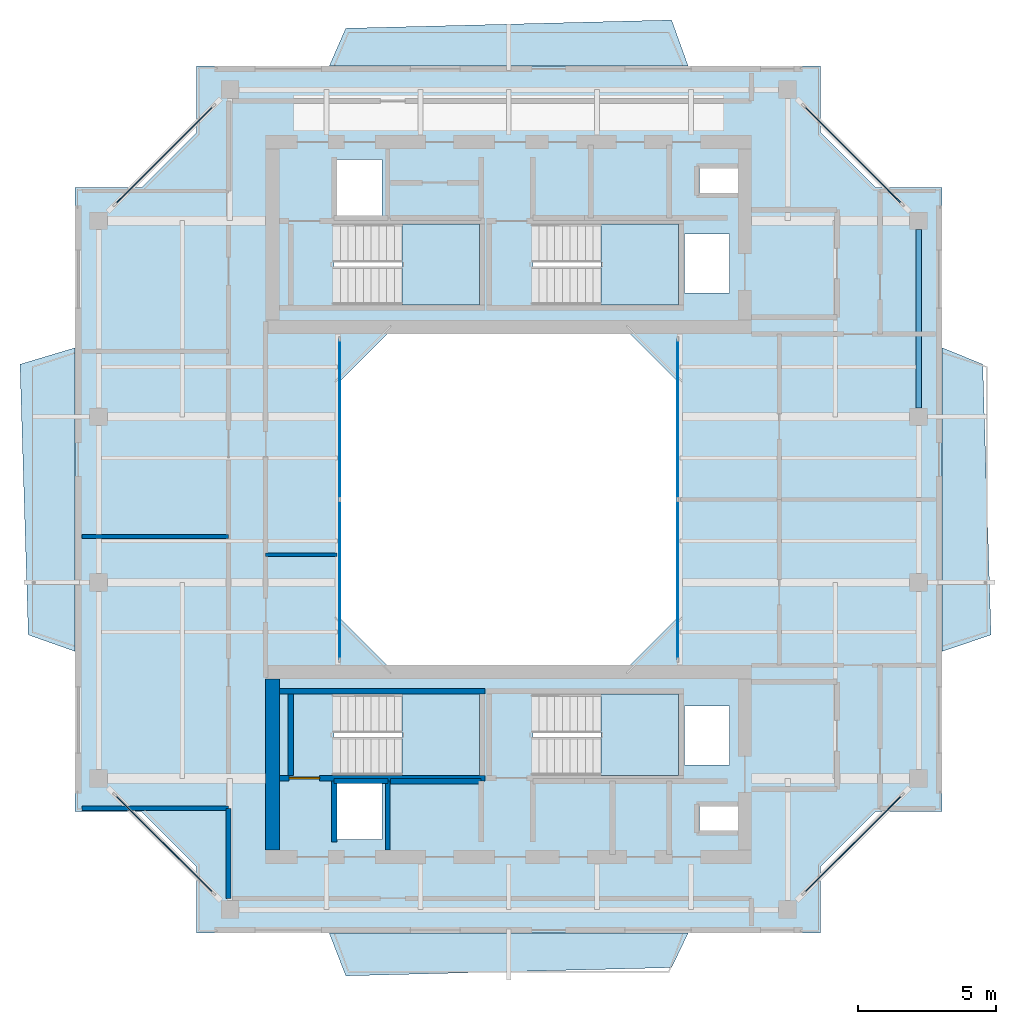
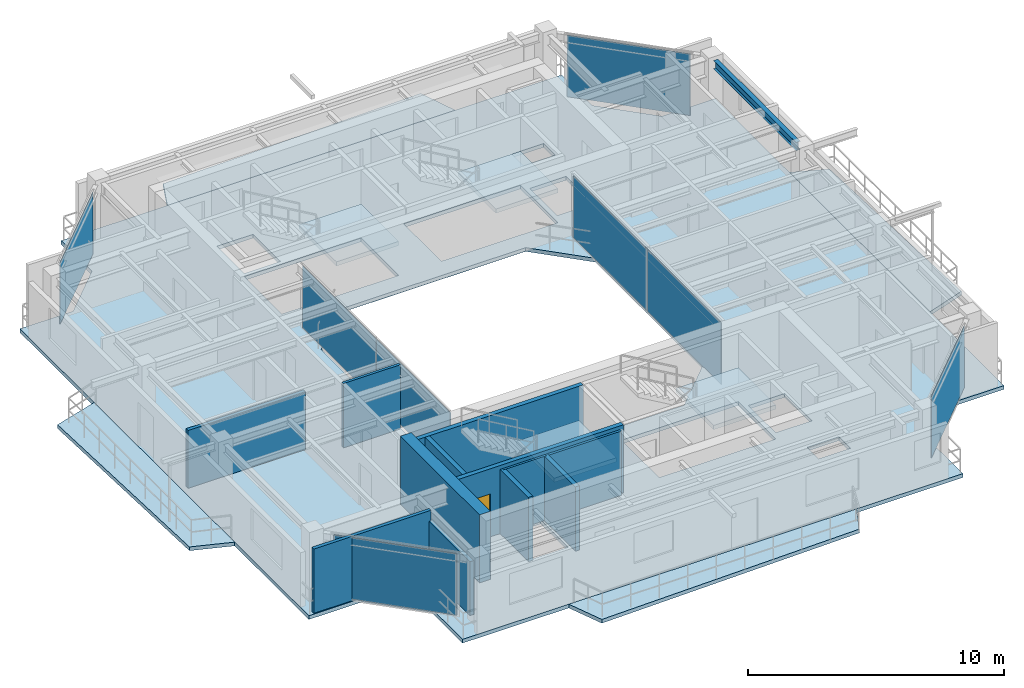
# One storey, part 8 of 14: 12 walls, 9 slabs, 8 plates, 1 beam, 1 door, 1 opening, 10 elements without a shape of their own.
"""IFC4 building model written with IfcOpenShell, lengths in metres."""

from ifc_helpers import new_model, si_unit, direction, frame, frame_2d, origin, origin_2d, place, context, subcontext, project, spatial, polyline, rectangle, i_section, outline, extrude, source, transform, mapped, material, layer, layer_set, material_profile, profile_set, type_object, element, fill, aggregate, save


model = new_model("IFC4")

# Units and contexts
model_context = context("Model", 3, precision=1e-05, world=origin(), true_north=direction((0.0, 1.0)))
body_context = subcontext(model_context, "Body", "Model", "MODEL_VIEW")
ifc_project = project(units=[si_unit("LENGTHUNIT", "METRE"), si_unit("AREAUNIT", "SQUARE_METRE"), si_unit("VOLUMEUNIT", "CUBIC_METRE"), si_unit("PLANEANGLEUNIT", "RADIAN"), si_unit("MASSUNIT", "GRAM", prefix="KILO"), si_unit("THERMODYNAMICTEMPERATUREUNIT", "KELVIN"), si_unit("POWERUNIT", "WATT")], contexts=[model_context])

# Site, building, storey
site_placement = place(None, origin())
site = spatial("IfcSite", under=ifc_project, at=site_placement, CompositionType="ELEMENT")
building_placement = place(site_placement, origin())
building = spatial("IfcBuilding", under=site, at=building_placement, Name="Qiaomeng Ring Towers", CompositionType="ELEMENT")
storey_placement = place(building_placement, frame((0.0, 0.0, 240.5)))
storey = spatial("IfcBuildingStorey", under=building, at=storey_placement, Name="L70", CompositionType="ELEMENT", Elevation=240.5)

# Beam
ifc_material_1 = material(Name="Steel Q355B", Category="steel")
ifc_material_profile = material_profile(ifc_material_1, i_section(OverallWidth=0.198974609375, OverallDepth=0.39599609375, WebThickness=0.007080078125, FlangeThickness=0.010986328125, FilletRadius=0.01611328125, at=origin_2d()), Name="HN 396x199x7x11")
ifc_profile_set = profile_set([ifc_material_profile], Name="Steel Q355B")
beam_type = type_object("IfcBeamType", Name="STR-BM-HN396", PredefinedType="SPANDREL", material=ifc_profile_set)
shared_shape_1 = source(origin(), body_context, "Body", "SweptSolid", [
    extrude(i_section(OverallWidth=0.198974609375, OverallDepth=0.39599609375, WebThickness=0.007080078125, FlangeThickness=0.010986328125, FilletRadius=0.01611328125, at=origin_2d()), origin(), (0.0, 0.0, 1.0), 6.451904296875),
])
beam_placement = place(storey_placement, frame((33.85009765625, 26.323974609375, 2.8720703125), z_axis=(0.0, 1.0, 0.0), x_axis=(-1.0, 0.0, 0.0)))
element("IfcBeam", 1, at=beam_placement, inside=storey, type_object=beam_type, Name="L70 beam STR-SP-L70-T1-E3-E4", PredefinedType="SPANDREL", context=body_context, shape_type="MappedRepresentation", body=[
    mapped(shared_shape_1, transform((0.0, 0.0, 0.0), x_axis=(1.0, 0.0, 0.0), y_axis=(0.0, 1.0, 0.0), z_axis=(0.0, 0.0, 1.0), scale=1.0)),
])

# Slabs
ifc_material_2 = material(Name="Concrete C40", Category="concrete")
ifc_layer_1 = layer(ifc_material_2, 0.179931640625, Name="Concrete C40")
ifc_layer_set_1 = layer_set([ifc_layer_1], Name="Concrete C40")
slab_type_1 = type_object("IfcSlabType", Name="STR-SL-180", PredefinedType="FLOOR", material=ifc_layer_set_1)
slab_1_placement = place(storey_placement, frame((0.0, 0.0, -0.179931640625)))
element("IfcSlab", 2, at=slab_1_placement, inside=storey, type_object=slab_type_1, Name="L70 Tower 1 Annular Floor Slab", PredefinedType="FLOOR", context=body_context, shape_type="SweptSolid", body=[
    extrude(outline(polyline([(7.699951171875, 7.300048828125), (30.300048828125, 7.300048828125), (30.300048828125, 9.699951171875), (32.300048828125, 11.699951171875), (34.699951171875, 11.699951171875), (34.699951171875, 34.300048828125), (32.300048828125, 34.300048828125), (30.300048828125, 36.300048828125), (30.300048828125, 38.699951171875), (7.699951171875, 38.699951171875), (7.699951171875, 36.300048828125), (5.699951171875, 34.300048828125), (3.300048828125, 34.300048828125), (3.300048828125, 11.699951171875), (5.699951171875, 11.699951171875), (7.699951171875, 9.699951171875), (7.699951171875, 7.300048828125)]), holes=[polyline([(12.780029296875, 10.679931640625), (12.780029296875, 12.820068359375), (14.419921875, 12.820068359375), (14.419921875, 10.679931640625), (12.780029296875, 10.679931640625)]), polyline([(12.679931640625, 13.010009765625), (12.679931640625, 15.949951171875), (17.949951171875, 15.949951171875), (17.949951171875, 13.010009765625), (12.679931640625, 13.010009765625)]), polyline([(23.199951171875, 29.199951171875), (25.199951171875, 27.199951171875), (25.199951171875, 18.800048828125), (23.199951171875, 16.800048828125), (14.800048828125, 16.800048828125), (12.800048828125, 18.800048828125), (12.800048828125, 27.199951171875), (14.800048828125, 29.199951171875), (23.199951171875, 29.199951171875)]), polyline([(12.679931640625, 32.989990234375), (17.949951171875, 32.989990234375), (17.949951171875, 30.050048828125), (12.679931640625, 30.050048828125), (12.679931640625, 32.989990234375)]), polyline([(19.8798828125, 32.989990234375), (25.14990234375, 32.989990234375), (25.14990234375, 30.050048828125), (19.8798828125, 30.050048828125), (19.8798828125, 32.989990234375)]), polyline([(12.780029296875, 33.179931640625), (12.780029296875, 35.320068359375), (14.419921875, 35.320068359375), (14.419921875, 33.179931640625), (12.780029296875, 33.179931640625)]), polyline([(25.919921875, 11.89990234375), (27.360107421875, 11.89990234375), (27.360107421875, 11.0), (25.919921875, 11.0), (25.919921875, 11.89990234375)]), polyline([(25.360107421875, 15.52001953125), (27.0, 15.52001953125), (27.0, 13.3798828125), (25.360107421875, 13.3798828125), (25.360107421875, 15.52001953125)]), polyline([(19.8798828125, 13.010009765625), (19.8798828125, 15.949951171875), (25.14990234375, 15.949951171875), (25.14990234375, 13.010009765625), (19.8798828125, 13.010009765625)]), polyline([(25.360107421875, 32.6201171875), (27.0, 32.6201171875), (27.0, 30.47998046875), (25.360107421875, 30.47998046875), (25.360107421875, 32.6201171875)]), polyline([(25.919921875, 35.0), (27.360107421875, 35.0), (27.360107421875, 34.10009765625), (25.919921875, 34.10009765625), (25.919921875, 35.0)])]), origin(), (0.0, 0.0, 1.0), 0.179931640625),
])
ifc_layer_2 = layer(ifc_material_2, 0.179931640625, Name="Concrete C40")
ifc_layer_set_2 = layer_set([ifc_layer_2], Name="Concrete C40")
slab_type_2 = type_object("IfcSlabType", Name="STR-SL-BAL", PredefinedType="FLOOR", material=ifc_layer_set_2)
slab_2_placement = place(storey_placement, frame((0.0, 0.0, -0.179931640625)))
element("IfcSlab", 3, at=slab_2_placement, inside=storey, type_object=slab_type_2, Name="L70 Tower 1 S Faceted Balcony Slab", PredefinedType="FLOOR", context=body_context, shape_type="SweptSolid", body=[
    extrude(outline(polyline([(24.89990234375, 6.050048828125), (13.10009765625, 5.75), (12.5, 7.300048828125), (25.5, 7.300048828125), (24.89990234375, 6.050048828125)])), origin(), (0.0, 0.0, 1.0), 0.179931640625),
])
slab_3_placement = place(storey_placement, frame((0.0, 0.0, -0.179931640625)))
element("IfcSlab", 4, at=slab_3_placement, inside=storey, type_object=slab_type_2, Name="L70 Tower 1 E Faceted Balcony Slab", PredefinedType="FLOOR", context=body_context, shape_type="SweptSolid", body=[
    extrude(outline(polyline([(36.169921875, 27.89990234375), (36.469970703125, 18.10009765625), (34.699951171875, 17.5), (34.699951171875, 28.5), (36.169921875, 27.89990234375)])), origin(), (0.0, 0.0, 1.0), 0.179931640625),
])
slab_4_placement = place(storey_placement, frame((0.0, 0.0, -0.179931640625)))
element("IfcSlab", 5, at=slab_4_placement, inside=storey, type_object=slab_type_2, Name="L70 Tower 1 N Faceted Balcony Slab", PredefinedType="FLOOR", context=body_context, shape_type="SweptSolid", body=[
    extrude(outline(polyline([(12.5, 38.699951171875), (13.10009765625, 40.070068359375), (24.89990234375, 40.3701171875), (25.5, 38.699951171875), (12.5, 38.699951171875)])), origin(), (0.0, 0.0, 1.0), 0.179931640625),
])
slab_5_placement = place(storey_placement, frame((0.0, 0.0, -0.179931640625)))
element("IfcSlab", 6, at=slab_5_placement, inside=storey, type_object=slab_type_2, Name="L70 Tower 1 W Faceted Balcony Slab", PredefinedType="FLOOR", context=body_context, shape_type="SweptSolid", body=[
    extrude(outline(polyline([(1.60009765625, 18.10009765625), (1.300048828125, 27.89990234375), (3.300048828125, 28.5), (3.300048828125, 17.5), (1.60009765625, 18.10009765625)])), origin(), (0.0, 0.0, 1.0), 0.179931640625),
])

# Stair, slab
ifc_material_3 = material(Name="Precast concrete C40", Category="concrete")
stair_type = type_object("IfcStairType", Name="ARC-ST-325", PredefinedType="HALF_TURN_STAIR", material=ifc_material_3)
stair_1_placement = place(storey_placement, origin())
stair_1 = element("IfcStair", 7, at=stair_1_placement, inside=storey, type_object=stair_type, Name="L70 Tower 1 North Stair 1", PredefinedType="HALF_TURN_STAIR")
ifc_layer_3 = layer(ifc_material_2, 0.199951171875, Name="Concrete C40")
ifc_layer_set_3 = layer_set([ifc_layer_3], Name="Concrete C40")
slab_type_3 = type_object("IfcSlabType", Name="STR-SL-LANDING", PredefinedType="LANDING", material=ifc_layer_set_3)
slab_6_placement = place(storey_placement, frame((0.0, 0.0, 1.425048828125)))
slab_6 = element("IfcSlab", 8, at=slab_6_placement, type_object=slab_type_3, Name="ST1 landing 1", PredefinedType="LANDING", context=body_context, shape_type="SweptSolid", body=[
    extrude(outline(polyline([(15.139892578125, 30.050048828125), (17.949951171875, 30.050048828125), (17.949951171875, 32.989990234375), (15.139892578125, 32.989990234375), (15.139892578125, 30.050048828125)])), origin(), (0.0, 0.0, 1.0), 0.199951171875),
])
aggregate(stair_1, [slab_6])

stair_2_placement = place(storey_placement, origin())
stair_2 = element("IfcStair", 9, at=stair_2_placement, inside=storey, type_object=stair_type, Name="L70 Tower 1 North Stair 2", PredefinedType="HALF_TURN_STAIR")
slab_7_placement = place(storey_placement, frame((0.0, 0.0, 1.425048828125)))
slab_7 = element("IfcSlab", 10, at=slab_7_placement, type_object=slab_type_3, Name="ST2 landing 1", PredefinedType="LANDING", context=body_context, shape_type="SweptSolid", body=[
    extrude(outline(polyline([(22.340087890625, 30.050048828125), (25.14990234375, 30.050048828125), (25.14990234375, 32.989990234375), (22.340087890625, 32.989990234375), (22.340087890625, 30.050048828125)])), origin(), (0.0, 0.0, 1.0), 0.199951171875),
])
aggregate(stair_2, [slab_7])

stair_3_placement = place(storey_placement, origin())
stair_3 = element("IfcStair", 11, at=stair_3_placement, inside=storey, type_object=stair_type, Name="L70 Tower 1 South Stair 3", PredefinedType="HALF_TURN_STAIR")
slab_8_placement = place(storey_placement, frame((0.0, 0.0, 1.425048828125)))
slab_8 = element("IfcSlab", 12, at=slab_8_placement, type_object=slab_type_3, Name="ST3 landing 1", PredefinedType="LANDING", context=body_context, shape_type="SweptSolid", body=[
    extrude(outline(polyline([(15.139892578125, 13.010009765625), (17.949951171875, 13.010009765625), (17.949951171875, 15.949951171875), (15.139892578125, 15.949951171875), (15.139892578125, 13.010009765625)])), origin(), (0.0, 0.0, 1.0), 0.199951171875),
])
aggregate(stair_3, [slab_8])

stair_4_placement = place(storey_placement, origin())
stair_4 = element("IfcStair", 13, at=stair_4_placement, inside=storey, type_object=stair_type, Name="L70 Tower 1 South Stair 4", PredefinedType="HALF_TURN_STAIR")
slab_9_placement = place(storey_placement, frame((0.0, 0.0, 1.425048828125)))
slab_9 = element("IfcSlab", 14, at=slab_9_placement, type_object=slab_type_3, Name="ST4 landing 1", PredefinedType="LANDING", context=body_context, shape_type="SweptSolid", body=[
    extrude(outline(polyline([(22.340087890625, 13.010009765625), (25.14990234375, 13.010009765625), (25.14990234375, 15.949951171875), (22.340087890625, 15.949951171875), (22.340087890625, 13.010009765625)])), origin(), (0.0, 0.0, 1.0), 0.199951171875),
])
aggregate(stair_4, [slab_9])

# Curtain wall, plates
ifc_material_4 = material(Name="Fluorocarbon dark-grey aluminium", Category="aluminium")
ifc_layer_4 = layer(ifc_material_4, 0.139892578125, Name="Fluorocarbon dark-grey aluminium")
ifc_layer_set_4 = layer_set([ifc_layer_4], Name="Fluorocarbon dark-grey aluminium")
curtain_wall_type_1 = type_object("IfcCurtainWallType", Name="ARC-CW-4", PredefinedType="NOTDEFINED", material=ifc_layer_set_4)
curtain_wall_1_placement = place(storey_placement, origin())
curtain_wall_1 = element("IfcCurtainWall", 15, at=curtain_wall_1_placement, inside=storey, type_object=curtain_wall_type_1, Name="L70 Curtain Wall CW4", PredefinedType="NOTDEFINED")
ifc_material_5 = material(Name="Low-E dark-grey laminated double glazing", Category="glass")
ifc_layer_5 = layer(ifc_material_5, 0.028076171875, Name="Low-E dark-grey laminated double glazing")
ifc_layer_set_5 = layer_set([ifc_layer_5], Name="Low-E dark-grey laminated double glazing")
plate_type = type_object("IfcPlateType", Name="ARC-CWP-DARK", PredefinedType="CURTAIN_PANEL", material=ifc_layer_set_5)
shared_shape_2 = source(origin(), body_context, "Body", "SweptSolid", [
    extrude(rectangle(XDim=5.75244140625, YDim=0.028076171875, at=origin_2d()), origin(), (0.0, 0.0, 1.0), 2.93994140625),
])
plate_1_placement = place(storey_placement, frame((12.8798828125, 20.09130859375, 0.06494140625), z_axis=(0.0, 0.0, 1.0), x_axis=(0.0, 1.0, 0.0)))
plate_1 = element("IfcPlate", 16, at=plate_1_placement, type_object=plate_type, Name="CW4 panel 1.1", PredefinedType="CURTAIN_PANEL", context=body_context, shape_type="MappedRepresentation", body=[
    mapped(shared_shape_2, transform((0.0, 0.0, 0.0), x_axis=(1.0, 0.0, 0.0), y_axis=(0.0, 1.0, 0.0), z_axis=(0.0, 0.0, 1.0), scale=1.0)),
])
plate_2_placement = place(storey_placement, frame((12.8798828125, 25.90869140625, 0.06494140625), z_axis=(0.0, 0.0, 1.0), x_axis=(0.0, 1.0, 0.0)))
plate_2 = element("IfcPlate", 17, at=plate_2_placement, type_object=plate_type, Name="CW4 panel 2.1", PredefinedType="CURTAIN_PANEL", context=body_context, shape_type="MappedRepresentation", body=[
    mapped(shared_shape_2, transform((0.0, 0.0, 0.0), x_axis=(1.0, 0.0, 0.0), y_axis=(0.0, 1.0, 0.0), z_axis=(0.0, 0.0, 1.0), scale=1.0)),
])
aggregate(curtain_wall_1, [plate_1, plate_2])

curtain_wall_2_placement = place(storey_placement, origin())
curtain_wall_2 = element("IfcCurtainWall", 18, at=curtain_wall_2_placement, inside=storey, type_object=curtain_wall_type_1, Name="L70 Curtain Wall CW4", PredefinedType="NOTDEFINED")
plate_3_placement = place(storey_placement, frame((25.1201171875, 20.09130859375, 0.06494140625), z_axis=(0.0, 0.0, 1.0), x_axis=(0.0, 1.0, 0.0)))
plate_3 = element("IfcPlate", 19, at=plate_3_placement, type_object=plate_type, Name="CW4 panel 1.1", PredefinedType="CURTAIN_PANEL", context=body_context, shape_type="MappedRepresentation", body=[
    mapped(shared_shape_2, transform((0.0, 0.0, 0.0), x_axis=(1.0, 0.0, 0.0), y_axis=(0.0, 1.0, 0.0), z_axis=(0.0, 0.0, 1.0), scale=1.0)),
])
plate_4_placement = place(storey_placement, frame((25.1201171875, 25.90869140625, 0.06494140625), z_axis=(0.0, 0.0, 1.0), x_axis=(0.0, 1.0, 0.0)))
plate_4 = element("IfcPlate", 20, at=plate_4_placement, type_object=plate_type, Name="CW4 panel 2.1", PredefinedType="CURTAIN_PANEL", context=body_context, shape_type="MappedRepresentation", body=[
    mapped(shared_shape_2, transform((0.0, 0.0, 0.0), x_axis=(1.0, 0.0, 0.0), y_axis=(0.0, 1.0, 0.0), z_axis=(0.0, 0.0, 1.0), scale=1.0)),
])
aggregate(curtain_wall_2, [plate_3, plate_4])

# Curtain wall, plate
ifc_layer_6 = layer(ifc_material_4, 0.14990234375, Name="Fluorocarbon dark-grey aluminium")
ifc_layer_set_6 = layer_set([ifc_layer_6], Name="Fluorocarbon dark-grey aluminium")
curtain_wall_type_2 = type_object("IfcCurtainWallType", Name="ARC-CW-3", PredefinedType="NOTDEFINED", material=ifc_layer_set_6)
curtain_wall_3_placement = place(storey_placement, origin())
curtain_wall_3 = element("IfcCurtainWall", 21, at=curtain_wall_3_placement, inside=storey, type_object=curtain_wall_type_2, Name="L70 Curtain Wall CW3", PredefinedType="NOTDEFINED")
shared_shape_3 = source(origin(), body_context, "Body", "SweptSolid", [
    extrude(rectangle(XDim=4.9794921875, YDim=0.028076171875, at=origin_2d()), origin(), (0.0, 0.0, 1.0), 2.93994140625),
])
plate_5_placement = place(storey_placement, frame((31.47509765625, 10.52490234375, 0.06494140625), z_axis=(0.0, 0.0, 1.0), x_axis=(0.707106781187, 0.707106781187, 0.0)))
plate_5 = element("IfcPlate", 22, at=plate_5_placement, type_object=plate_type, Name="CW3 panel 1.1", PredefinedType="CURTAIN_PANEL", context=body_context, shape_type="MappedRepresentation", body=[
    mapped(shared_shape_3, transform((0.0, 0.0, 0.0), x_axis=(1.0, 0.0, 0.0), y_axis=(0.0, 1.0, 0.0), z_axis=(0.0, 0.0, 1.0), scale=1.0)),
])
aggregate(curtain_wall_3, [plate_5])

curtain_wall_4_placement = place(storey_placement, origin())
curtain_wall_4 = element("IfcCurtainWall", 23, at=curtain_wall_4_placement, inside=storey, type_object=curtain_wall_type_2, Name="L70 Curtain Wall CW3", PredefinedType="NOTDEFINED")
plate_6_placement = place(storey_placement, frame((31.47509765625, 35.47509765625, 0.06494140625), z_axis=(0.0, 0.0, 1.0), x_axis=(-0.707106781187, 0.707106781187, 0.0)))
plate_6 = element("IfcPlate", 24, at=plate_6_placement, type_object=plate_type, Name="CW3 panel 1.1", PredefinedType="CURTAIN_PANEL", context=body_context, shape_type="MappedRepresentation", body=[
    mapped(shared_shape_3, transform((0.0, 0.0, 0.0), x_axis=(1.0, 0.0, 0.0), y_axis=(0.0, 1.0, 0.0), z_axis=(0.0, 0.0, 1.0), scale=1.0)),
])
aggregate(curtain_wall_4, [plate_6])

curtain_wall_5_placement = place(storey_placement, origin())
curtain_wall_5 = element("IfcCurtainWall", 25, at=curtain_wall_5_placement, inside=storey, type_object=curtain_wall_type_2, Name="L70 Curtain Wall CW3", PredefinedType="NOTDEFINED")
plate_7_placement = place(storey_placement, frame((6.52490234375, 35.47509765625, 0.06494140625), z_axis=(0.0, 0.0, 1.0), x_axis=(-0.707106781187, -0.707106781187, 0.0)))
plate_7 = element("IfcPlate", 26, at=plate_7_placement, type_object=plate_type, Name="CW3 panel 1.1", PredefinedType="CURTAIN_PANEL", context=body_context, shape_type="MappedRepresentation", body=[
    mapped(shared_shape_3, transform((0.0, 0.0, 0.0), x_axis=(1.0, 0.0, 0.0), y_axis=(0.0, 1.0, 0.0), z_axis=(0.0, 0.0, 1.0), scale=1.0)),
])
aggregate(curtain_wall_5, [plate_7])

curtain_wall_6_placement = place(storey_placement, origin())
curtain_wall_6 = element("IfcCurtainWall", 27, at=curtain_wall_6_placement, inside=storey, type_object=curtain_wall_type_2, Name="L70 Curtain Wall CW3", PredefinedType="NOTDEFINED")
plate_8_placement = place(storey_placement, frame((6.52490234375, 10.52490234375, 0.06494140625), z_axis=(0.0, 0.0, 1.0), x_axis=(0.707106781187, -0.707106781187, 0.0)))
plate_8 = element("IfcPlate", 28, at=plate_8_placement, type_object=plate_type, Name="CW3 panel 1.1", PredefinedType="CURTAIN_PANEL", context=body_context, shape_type="MappedRepresentation", body=[
    mapped(shared_shape_3, transform((0.0, 0.0, 0.0), x_axis=(1.0, 0.0, 0.0), y_axis=(0.0, 1.0, 0.0), z_axis=(0.0, 0.0, 1.0), scale=1.0)),
])
aggregate(curtain_wall_6, [plate_8])

# Walls
ifc_material_6 = material(Name="Autoclaved aerated concrete block", Category="concrete")
ifc_layer_7 = layer(ifc_material_6, 0.199951171875, Name="Autoclaved aerated concrete block")
ifc_layer_set_7 = layer_set([ifc_layer_7], Name="Autoclaved aerated concrete block")
wall_type_1 = type_object("IfcWallType", Name="ARC-WL-PW1", PredefinedType="PARTITIONING", material=ifc_layer_set_7)
wall_1_placement = place(storey_placement, frame((12.679931640625, 10.60009765625, 0.0), z_axis=(0.0, 0.0, 1.0), x_axis=(0.0, 1.0, 0.0)))
element("IfcWall", 29, at=wall_1_placement, inside=storey, type_object=wall_type_1, Name="L70 Interior Wall PW1", PredefinedType="PARTITIONING", context=body_context, shape_type="SweptSolid", body=[
    extrude(rectangle(XDim=2.2099609375, YDim=0.199951171875, at=frame_2d((1.10498046875, 0.0))), origin(), (0.0, 0.0, 1.0), 3.070068359375),
])
wall_2_placement = place(storey_placement, frame((14.719970703125, 12.800048828125, 0.0), z_axis=(0.0, 0.0, 1.0), x_axis=(1.0, 0.0, 0.0)))
element("IfcWall", 30, at=wall_2_placement, inside=storey, type_object=wall_type_1, Name="L70 Interior Wall PW1", PredefinedType="PARTITIONING", context=body_context, shape_type="SweptSolid", body=[
    extrude(rectangle(XDim=3.280029296875, YDim=0.199951171875, at=frame_2d((1.64013671875, 0.0))), origin(), (0.0, 0.0, 1.0), 3.070068359375),
])
ifc_layer_8 = layer(ifc_material_6, 0.179931640625, Name="Autoclaved aerated concrete block")
ifc_layer_set_8 = layer_set([ifc_layer_8], Name="Autoclaved aerated concrete block")
wall_type_2 = type_object("IfcWallType", Name="ARC-WL-PW2", PredefinedType="PARTITIONING", material=ifc_layer_set_8)
wall_3_placement = place(storey_placement, frame((8.85009765625, 8.56005859375, 0.0), z_axis=(0.0, 0.0, 1.0), x_axis=(0.0, 1.0, 0.0)))
element("IfcWall", 31, at=wall_3_placement, inside=storey, type_object=wall_type_2, Name="L70 Interior Wall PW2", PredefinedType="PARTITIONING", context=body_context, shape_type="SweptSolid", body=[
    extrude(rectangle(XDim=3.260009765625, YDim=0.179931640625, at=frame_2d((1.6298828125, 0.0))), origin(), (0.0, 0.0, 1.0), 2.569091796875),
])
ifc_material_7 = material(Name="Gypsum fireboard steel-stud partition", Category="steel")
ifc_layer_9 = layer(ifc_material_7, 0.14990234375, Name="Gypsum fireboard steel-stud partition")
ifc_layer_set_9 = layer_set([ifc_layer_9], Name="Gypsum fireboard steel-stud partition")
wall_type_3 = type_object("IfcWallType", Name="ARC-WL-PW3", PredefinedType="PARTITIONING", material=ifc_layer_set_9)
wall_4_placement = place(storey_placement, frame((3.550048828125, 11.820068359375, 0.0), z_axis=(0.0, 0.0, 1.0), x_axis=(1.0, 0.0, 0.0)))
element("IfcWall", 32, at=wall_4_placement, inside=storey, type_object=wall_type_3, Name="L70 Interior Wall PW3", PredefinedType="PARTITIONING", context=body_context, shape_type="SweptSolid", body=[
    extrude(rectangle(XDim=5.300048828125, YDim=0.14990234375, at=frame_2d((2.64990234375, 0.0))), origin(), (0.0, 0.0, 1.0), 3.070068359375),
])
wall_5_placement = place(storey_placement, frame((3.550048828125, 21.659912109375, 0.0), z_axis=(0.0, 0.0, 1.0), x_axis=(1.0, 0.0, 0.0)))
element("IfcWall", 33, at=wall_5_placement, inside=storey, type_object=wall_type_3, Name="L70 Interior Wall PW3", PredefinedType="PARTITIONING", context=body_context, shape_type="SweptSolid", body=[
    extrude(rectangle(XDim=5.300048828125, YDim=0.14990234375, at=frame_2d((2.64990234375, 0.0))), origin(), (0.0, 0.0, 1.0), 2.764892578125),
])
ifc_material_8 = material(Name="Moisture-resistant gypsum steel-stud partition", Category="steel")
ifc_layer_10 = layer(ifc_material_8, 0.1201171875, Name="Moisture-resistant gypsum steel-stud partition")
ifc_layer_set_10 = layer_set([ifc_layer_10], Name="Moisture-resistant gypsum steel-stud partition")
wall_type_4 = type_object("IfcWallType", Name="ARC-WL-PW4", PredefinedType="PLUMBINGWALL", material=ifc_layer_set_10)
wall_6_placement = place(storey_placement, frame((10.199951171875, 21.0, 0.0), z_axis=(0.0, 0.0, 1.0), x_axis=(1.0, 0.0, 0.0)))
element("IfcWall", 34, at=wall_6_placement, inside=storey, type_object=wall_type_4, Name="L70 Interior Wall PW4", PredefinedType="PLUMBINGWALL", context=body_context, shape_type="SweptSolid", body=[
    extrude(rectangle(XDim=2.580078125, YDim=0.1201171875, at=frame_2d((1.2900390625, 0.0))), origin(), (0.0, 0.0, 1.0), 3.070068359375),
])
ifc_layer_11 = layer(ifc_material_2, 0.199951171875, Name="Concrete C40")
ifc_layer_set_11 = layer_set([ifc_layer_11], Name="Concrete C40")
wall_type_5 = type_object("IfcWallType", Name="STR-WL-STSHAFT", PredefinedType="SHEAR", material=ifc_layer_set_11)
wall_7_placement = place(storey_placement, frame((12.679931640625, 12.800048828125, 0.0), z_axis=(0.0, 0.0, 1.0), x_axis=(1.0, 0.0, 0.0)))
element("IfcWall", 35, at=wall_7_placement, inside=storey, type_object=wall_type_5, Name="L70 Lift LP6 Shaft Back Wall", PredefinedType="SHEAR", context=body_context, shape_type="SweptSolid", body=[
    extrude(rectangle(XDim=1.940185546875, YDim=0.179931640625, at=frame_2d((0.97021484375, 0.0))), origin(), (0.0, 0.0, 1.0), 3.070068359375),
])
wall_8_placement = place(storey_placement, frame((14.6201171875, 10.300048828125, 0.0), z_axis=(0.0, 0.0, 1.0), x_axis=(0.0, 1.0, 0.0)))
element("IfcWall", 36, at=wall_8_placement, inside=storey, type_object=wall_type_5, Name="L70 Lift LP6-LP4 Shaft Divider Wall", PredefinedType="SHEAR", context=body_context, shape_type="SweptSolid", body=[
    extrude(rectangle(XDim=2.5, YDim=0.179931640625, at=frame_2d((1.25, 0.0))), origin(), (0.0, 0.0, 1.0), 3.070068359375),
])

# Wall, opening, door
wall_9_placement = place(storey_placement, frame((10.699951171875, 12.909912109375, 0.0), z_axis=(0.0, 0.0, 1.0), x_axis=(1.0, 0.0, 0.0)))
wall_9 = element("IfcWall", 37, at=wall_9_placement, inside=storey, type_object=wall_type_5, Name="L70 Stair ST3 South Shaft Shear Wall", PredefinedType="SHEAR", context=body_context, shape_type="SweptSolid", body=[
    extrude(rectangle(XDim=7.449951171875, YDim=0.199951171875, at=frame_2d((3.72509765625, 0.0))), origin(), (0.0, 0.0, 1.0), 3.25),
])
opening_placement = place(wall_9_placement, frame((0.35009765625, 0.0, 0.0)))
opening = element("IfcOpeningElement", 38, at=opening_placement, cuts=wall_9, Name="Opening FD3", PredefinedType="OPENING", context=body_context, shape_type="SweptSolid", body=[
    extrude(rectangle(XDim=1.10009765625, YDim=2.050048828125, at=frame_2d((0.550048828125, 1.02490234375))), frame((0.0, 0.10986328125, 0.0), z_axis=(0.0, -1.0, 0.0), x_axis=(1.0, 0.0, 0.0)), (0.0, 0.0, 1.0), 0.219970703125),
])
ifc_material_9 = material(Name="Galvanised steel", Category="steel")
door_type = type_object("IfcDoorType", Name="ARC-DR-FD3", OperationType="NOTDEFINED", PredefinedType="DOOR", material=ifc_material_9)
shared_shape_4 = source(origin(), body_context, "Body", "SweptSolid", [
    extrude(rectangle(XDim=1.10009765625, YDim=2.050048828125, at=frame_2d((0.550048828125, 1.02490234375))), frame((0.0, 0.02490234375, 0.0), z_axis=(0.0, -1.0, 0.0), x_axis=(1.0, 0.0, 0.0)), (0.0, 0.0, 1.0), 0.050048828125),
])
door_placement = place(opening_placement, frame((1.10009765625, 0.0, 0.0), z_axis=(0.0, 0.0, 1.0), x_axis=(-1.0, 0.0, 0.0)))
door = element("IfcDoor", 39, at=door_placement, inside=storey, type_object=door_type, Name="L70 Stair ST3 Exit Door", OperationType="SINGLE_SWING_LEFT", OverallHeight=2.050048828125, OverallWidth=1.10009765625, PredefinedType="DOOR", context=body_context, shape_type="MappedRepresentation", body=[
    mapped(shared_shape_4, transform((0.0, 0.0, 0.0), x_axis=(1.0, 0.0, 0.0), y_axis=(0.0, 1.0, 0.0), z_axis=(0.0, 0.0, 1.0), scale=1.0)),
])
fill(opening, door)

# Walls
wall_10_placement = place(storey_placement, frame((10.699951171875, 16.050048828125, 0.0), z_axis=(0.0, 0.0, 1.0), x_axis=(1.0, 0.0, 0.0)))
element("IfcWall", 40, at=wall_10_placement, inside=storey, type_object=wall_type_5, Name="L70 Stair ST3 North Shaft Shear Wall", PredefinedType="SHEAR", context=body_context, shape_type="SweptSolid", body=[
    extrude(rectangle(XDim=7.449951171875, YDim=0.199951171875, at=frame_2d((3.72509765625, 0.0))), origin(), (0.0, 0.0, 1.0), 3.25),
])
wall_11_placement = place(storey_placement, frame((11.10009765625, 13.010009765625, 0.0), z_axis=(0.0, 0.0, 1.0), x_axis=(0.0, 1.0, 0.0)))
element("IfcWall", 41, at=wall_11_placement, inside=storey, type_object=wall_type_5, Name="L70 Stair ST3 West Shaft Shear Wall", PredefinedType="SHEAR", context=body_context, shape_type="SweptSolid", body=[
    extrude(rectangle(XDim=2.93994140625, YDim=0.199951171875, at=frame_2d((1.469970703125, 0.0))), origin(), (0.0, 0.0, 1.0), 3.25),
])
ifc_layer_12 = layer(ifc_material_2, 0.5, Name="Concrete C40")
ifc_layer_set_12 = layer_set([ifc_layer_12], Name="Concrete C40")
wall_type_6 = type_object("IfcWallType", Name="STR-WL-SW3", PredefinedType="SHEAR", material=ifc_layer_set_12)
wall_12_placement = place(storey_placement, frame((10.449951171875, 10.300048828125, 0.0), z_axis=(0.0, 0.0, 1.0), x_axis=(0.0, 1.0, 0.0)))
element("IfcWall", 42, at=wall_12_placement, inside=storey, type_object=wall_type_6, Name="L70 T1SC west core shear wall", PredefinedType="SHEAR", context=body_context, shape_type="SweptSolid", body=[
    extrude(rectangle(XDim=6.199951171875, YDim=0.5, at=frame_2d((3.10009765625, 0.0))), origin(), (0.0, 0.0, 1.0), 3.25),
])

save(model, "model.ifc")
